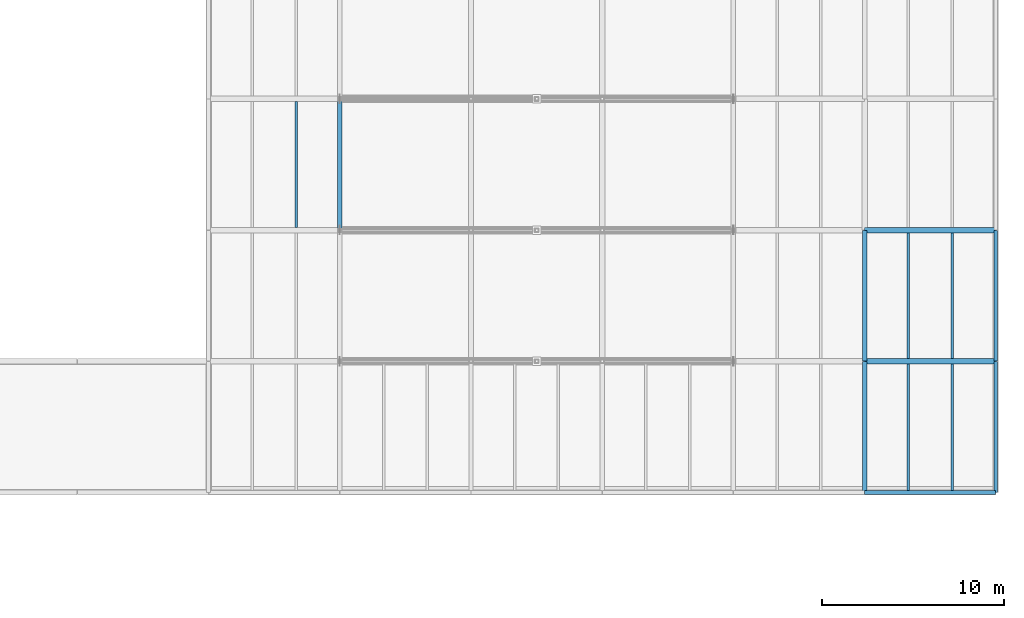
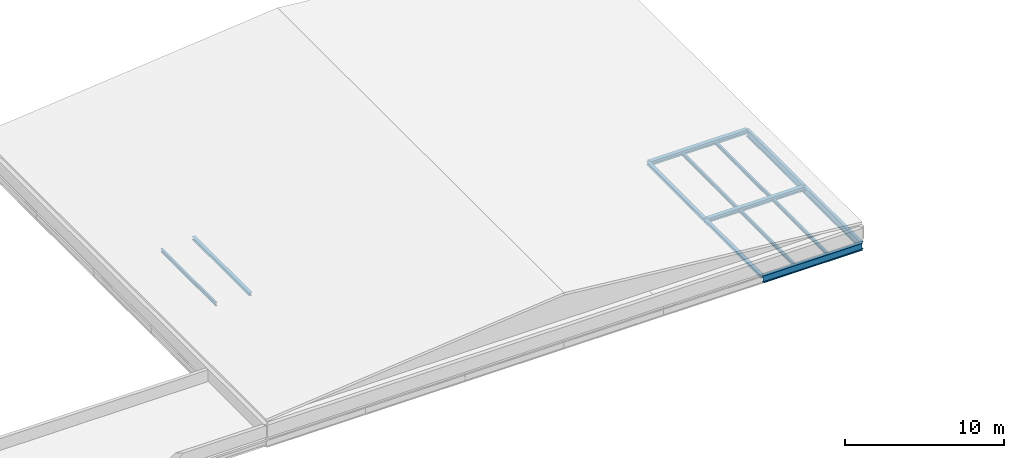
# One storey, part 31 of 91: 13 beams.
"""IFC4 building model written with IfcOpenShell, lengths in metres."""

from ifc_helpers import new_model, si_unit, direction, frame, origin, origin_2d, place, context, subcontext, project, spatial, i_section, extrude, material, material_profile, profile_set, type_object, element, save


model = new_model("IFC4")

# Units and contexts
model_context = context("Model", 3, precision=1e-05, world=origin(), true_north=direction((0.0, 1.0)))
body_context = subcontext(model_context, "Body", "Model", "MODEL_VIEW")
ifc_project = project(units=[si_unit("LENGTHUNIT", "METRE"), si_unit("AREAUNIT", "SQUARE_METRE"), si_unit("VOLUMEUNIT", "CUBIC_METRE"), si_unit("PLANEANGLEUNIT", "RADIAN"), si_unit("MASSUNIT", "GRAM", prefix="KILO")], contexts=[model_context])

# Site, building, storey
site_placement = place(None, origin())
site = spatial("IfcSite", under=ifc_project, at=site_placement, CompositionType="ELEMENT")
building_placement = place(site_placement, origin())
building = spatial("IfcBuilding", under=site, at=building_placement, Name="Narikvali Park Central Library", CompositionType="ELEMENT")
storey_placement = place(building_placement, frame((0.0, 0.0, 14.39990234375)))
storey = spatial("IfcBuildingStorey", under=building, at=storey_placement, Name="L03", CompositionType="ELEMENT", Elevation=14.39990234375)

# Beams
ifc_material = material(Name="Steel S355", Category="steel")
ifc_material_profile_1 = material_profile(ifc_material, i_section(OverallWidth=0.135009765625, OverallDepth=0.27001953125, WebThickness=0.006591796875, FlangeThickness=0.01025390625, FilletRadius=0.014892578125, at=origin_2d()), Name="IPE 270")
ifc_profile_set_1 = profile_set([ifc_material_profile_1], Name="Steel S355")
beam_type_1 = type_object("IfcBeamType", Name="Composite Floor Joist IPE270", PredefinedType="JOIST", material=ifc_profile_set_1)
beam_placement = place(storey_placement, frame((127.199951171875, 93.75, -0.375), z_axis=(0.0, 1.0, 0.0), x_axis=(-1.0, 0.0, 0.0)))
element("IfcBeam", 1, at=beam_placement, inside=storey, type_object=beam_type_1, Name="V3 L03 Composite Joist 2", PredefinedType="JOIST", context=body_context, shape_type="SweptSolid", body=[
    extrude(i_section(OverallWidth=0.135009765625, OverallDepth=0.27001953125, WebThickness=0.006591796875, FlangeThickness=0.01025390625, FilletRadius=0.014892578125, at=origin_2d()), origin(), (0.0, 0.0, 1.0), 6.89990234375),
])
for number, where, z_axis, x_axis, name in (
    (2, (160.800048828125, 79.304931640625, -0.375), (0.0, 1.0, 0.0), (-1.0, 0.0, 0.0), "V3 L03 Composite Joist 1"),
    (3, (163.199951171875, 79.304931640625, -0.375), (0.0, 1.0, 0.0), (-1.0, 0.0, 0.0), "V3 L03 Composite Joist 2"),
):
    element("IfcBeam", number, at=place(storey_placement, frame(where, z_axis=z_axis, x_axis=x_axis)), inside=storey, type_object=beam_type_1, Name=name, PredefinedType="JOIST", context=body_context, shape_type="SweptSolid", body=[
        extrude(i_section(OverallWidth=0.135009765625, OverallDepth=0.27001953125, WebThickness=0.006591796875, FlangeThickness=0.01025390625, FilletRadius=0.014892578125, at=origin_2d()), origin(), (0.0, 0.0, 1.0), 6.945068359375),
    ])
for number, where, z_axis, x_axis, name in (
    (4, (160.800048828125, 86.550048828125, -0.375), (0.0, 1.0, 0.0), (-1.0, 0.0, 0.0), "V3 L03 Composite Joist 1"),
    (5, (163.199951171875, 86.550048828125, -0.375), (0.0, 1.0, 0.0), (-1.0, 0.0, 0.0), "V3 L03 Composite Joist 2"),
):
    element("IfcBeam", number, at=place(storey_placement, frame(where, z_axis=z_axis, x_axis=x_axis)), inside=storey, type_object=beam_type_1, Name=name, PredefinedType="JOIST", context=body_context, shape_type="SweptSolid", body=[
        extrude(i_section(OverallWidth=0.135009765625, OverallDepth=0.27001953125, WebThickness=0.006591796875, FlangeThickness=0.01025390625, FilletRadius=0.014892578125, at=origin_2d()), origin(), (0.0, 0.0, 1.0), 6.89990234375),
    ])
ifc_material_profile_2 = material_profile(ifc_material, i_section(OverallWidth=0.2099609375, OverallDepth=0.550048828125, WebThickness=0.010986328125, FlangeThickness=0.01708984375, FilletRadius=0.02392578125, at=origin_2d()), Name="IPE 550")
ifc_profile_set_2 = profile_set([ifc_material_profile_2], Name="Steel S355")
beam_type_2 = type_object("IfcBeamType", Name="Perimeter Spandrel IPE550", PredefinedType="SPANDREL", material=ifc_profile_set_2)
for number, where, z_axis, x_axis, name in (
    (6, (158.407958984375, 79.199951171875, -0.514892578125), (1.0, 0.0, 0.0), (0.0, 1.0, 0.0), "V3 L03 Girder X"),
    (7, (165.60009765625, 79.2080078125, -0.514892578125), (0.0, 1.0, 0.0), (-1.0, 0.0, 0.0), "V3 L03 Girder Y"),
    (8, (165.60009765625, 86.407958984375, -0.514892578125), (0.0, 1.0, 0.0), (-1.0, 0.0, 0.0), "V3 L03 Girder Y"),
):
    element("IfcBeam", number, at=place(storey_placement, frame(where, z_axis=z_axis, x_axis=x_axis)), inside=storey, type_object=beam_type_2, Name=name, PredefinedType="SPANDREL", context=body_context, shape_type="SweptSolid", body=[
        extrude(i_section(OverallWidth=0.2099609375, OverallDepth=0.550048828125, WebThickness=0.010986328125, FlangeThickness=0.01708984375, FilletRadius=0.02392578125, at=origin_2d()), origin(), (0.0, 0.0, 1.0), 7.18408203125),
    ])
ifc_material_profile_3 = material_profile(ifc_material, i_section(OverallWidth=0.239990234375, OverallDepth=0.22998046875, WebThickness=0.007568359375, FlangeThickness=0.011962890625, FilletRadius=0.02099609375, at=origin_2d()), Name="HEA 240")
ifc_profile_set_3 = profile_set([ifc_material_profile_3], Name="Steel S355")
beam_type_3 = type_object("IfcBeamType", Name="Primary Girder HEA240", PredefinedType="BEAM", material=ifc_profile_set_3)
for number, where, z_axis, x_axis, name in (
    (9, (129.60009765625, 93.60791015625, -0.35498046875), (0.0, 1.0, 0.0), (-1.0, 0.0, 0.0), "V3 L03 Girder Y"),
    (10, (158.39990234375, 79.2080078125, -0.35498046875), (0.0, 1.0, 0.0), (-1.0, 0.0, 0.0), "V3 L03 Girder Y"),
    (11, (158.39990234375, 86.407958984375, -0.35498046875), (0.0, 1.0, 0.0), (-1.0, 0.0, 0.0), "V3 L03 Girder Y"),
):
    element("IfcBeam", number, at=place(storey_placement, frame(where, z_axis=z_axis, x_axis=x_axis)), inside=storey, type_object=beam_type_3, Name=name, PredefinedType="BEAM", context=body_context, shape_type="SweptSolid", body=[
        extrude(i_section(OverallWidth=0.239990234375, OverallDepth=0.22998046875, WebThickness=0.007568359375, FlangeThickness=0.011962890625, FilletRadius=0.02099609375, at=origin_2d()), origin(), (0.0, 0.0, 1.0), 7.18408203125),
    ])
ifc_material_profile_4 = material_profile(ifc_material, i_section(OverallWidth=0.300048828125, OverallDepth=0.31005859375, WebThickness=0.009033203125, FlangeThickness=0.015380859375, FilletRadius=0.027099609375, at=origin_2d()), Name="HEA 320")
ifc_profile_set_4 = profile_set([ifc_material_profile_4], Name="Steel S355")
beam_type_4 = type_object("IfcBeamType", Name="Primary Girder HEA320", PredefinedType="BEAM", material=ifc_profile_set_4)
for number, where, z_axis, x_axis, name in (
    (12, (158.407958984375, 86.39990234375, -0.39501953125), (1.0, 0.0, 0.0), (0.0, 1.0, 0.0), "V3 L03 Girder X"),
    (13, (158.407958984375, 93.60009765625, -0.39501953125), (1.0, 0.0, 0.0), (0.0, 1.0, 0.0), "V3 L03 Girder X"),
):
    element("IfcBeam", number, at=place(storey_placement, frame(where, z_axis=z_axis, x_axis=x_axis)), inside=storey, type_object=beam_type_4, Name=name, PredefinedType="BEAM", context=body_context, shape_type="SweptSolid", body=[
        extrude(i_section(OverallWidth=0.300048828125, OverallDepth=0.31005859375, WebThickness=0.009033203125, FlangeThickness=0.015380859375, FilletRadius=0.027099609375, at=origin_2d()), origin(), (0.0, 0.0, 1.0), 7.18408203125),
    ])

save(model, "model.ifc")
